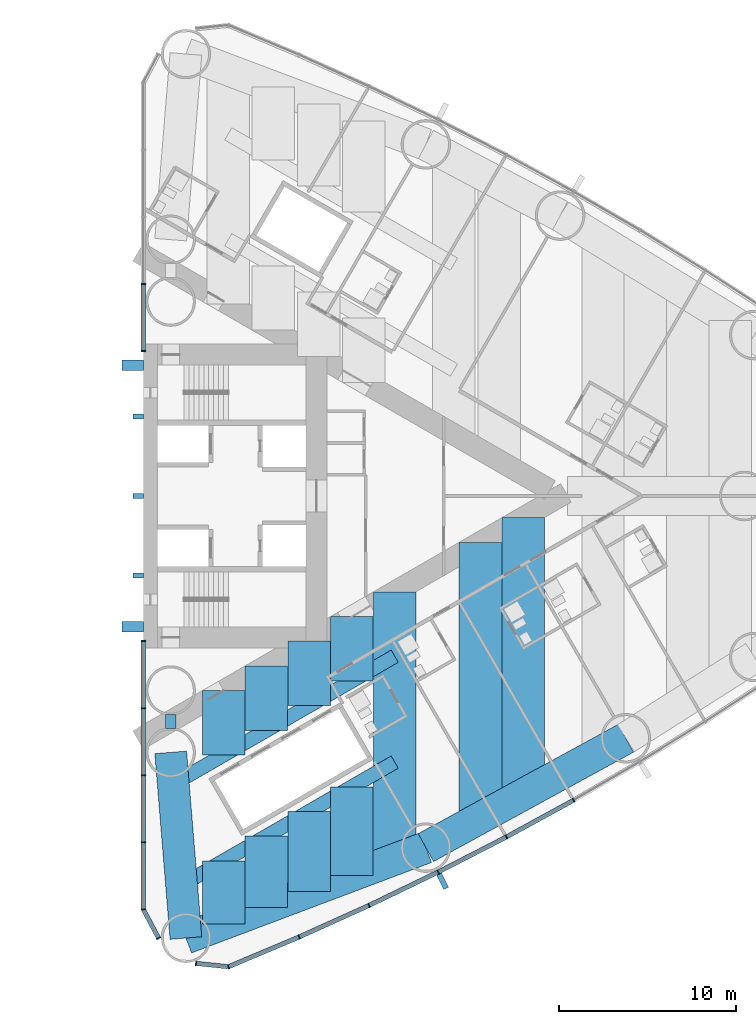
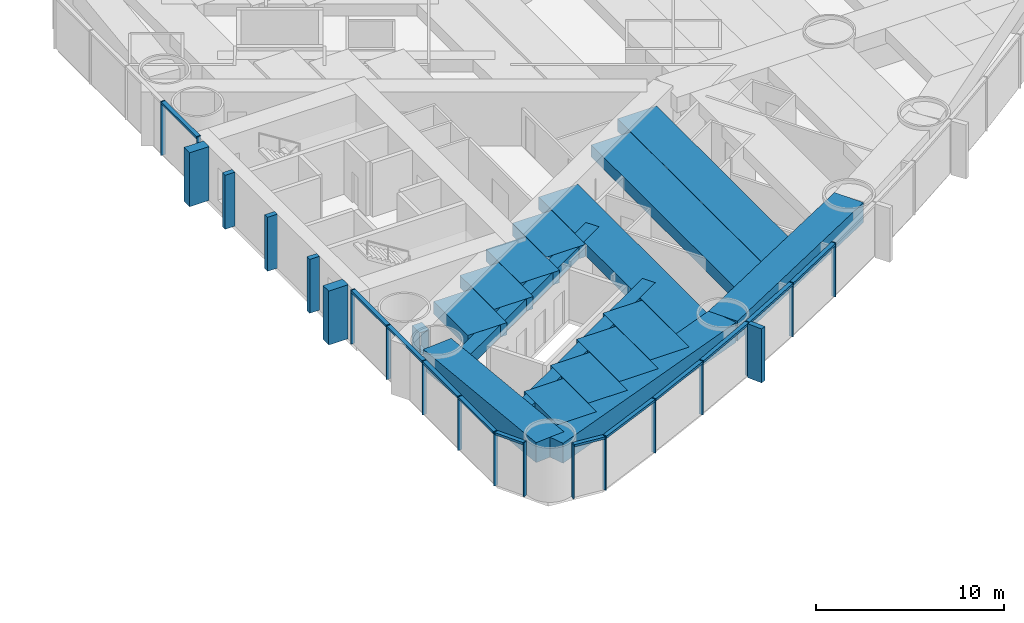
# One storey, part 6 of 18: 33 members, 17 beams, 3 elements without a shape of their own.
"""IFC4 building model written with IfcOpenShell, lengths in metres."""

from ifc_helpers import new_model, si_unit, direction, frame, origin, origin_2d, place, context, subcontext, project, spatial, rectangle, hollow_rectangle, extrude, material, material_profile, profile_set, type_object, element, aggregate, save


model = new_model("IFC4")

# Units and contexts
model_context = context("Model", 3, precision=1e-05, world=origin(), true_north=direction((0.0, 1.0)))
body_context = subcontext(model_context, "Body", "Model", "MODEL_VIEW")
ifc_project = project(units=[si_unit("LENGTHUNIT", "METRE"), si_unit("AREAUNIT", "SQUARE_METRE"), si_unit("VOLUMEUNIT", "CUBIC_METRE"), si_unit("PLANEANGLEUNIT", "RADIAN"), si_unit("MASSUNIT", "GRAM", prefix="KILO")], contexts=[model_context])

# Site, building, storey
site_placement = place(None, origin())
site = spatial("IfcSite", under=ifc_project, at=site_placement, CompositionType="ELEMENT")
building_placement = place(site_placement, origin())
building = spatial("IfcBuilding", under=site, at=building_placement, Name="Lancet Gate Hotel", CompositionType="ELEMENT")
storey_placement = place(building_placement, frame((0.0, 0.0, 49.5)))
storey = spatial("IfcBuildingStorey", under=building, at=storey_placement, Name="L12", CompositionType="ELEMENT", Elevation=49.5)

# Curtain wall, members
ifc_material_1 = material(Name="Aluminium curtain wall", Category="aluminium")
curtain_wall_type = type_object("IfcCurtainWallType", Name="Tower unitised curtain wall", PredefinedType="USERDEFINED", material=ifc_material_1)
curtain_wall_1_placement = place(storey_placement, origin())
curtain_wall_1 = element("IfcCurtainWall", 1, at=curtain_wall_1_placement, inside=storey, type_object=curtain_wall_type, Name="T2 L12 curtain wall 1", ObjectType="UNITISED CURTAIN WALL", PredefinedType="USERDEFINED")
ifc_material_2 = material(Name="Aluminium mullion", Category="aluminium")
ifc_material_profile_1 = material_profile(ifc_material_2, rectangle(XDim=0.06494140625, YDim=0.25, at=origin_2d()), Name="MULLION 65x250")
ifc_profile_set_1 = profile_set([ifc_material_profile_1], Name="Aluminium mullion")
member_type_1 = type_object("IfcMemberType", Name="Aluminium mullion 65x250", PredefinedType="MULLION", material=ifc_profile_set_1)
member_1_placement = place(storey_placement, frame((27.5, -8.199951171875, 0.0), z_axis=(0.0, 0.0, 1.0), x_axis=(0.0, -1.0, 0.0)))
member_1 = element("IfcMember", 2, at=member_1_placement, type_object=member_type_1, Name="T2 L12 curtain wall 1 mullion 1", PredefinedType="MULLION", context=body_context, shape_type="SweptSolid", body=[
    extrude(rectangle(XDim=0.06494140625, YDim=0.25, at=origin_2d()), origin(), (0.0, 0.0, 1.0), 3.5),
])
member_2_placement = place(storey_placement, frame((27.5, -11.99609375, 0.0), z_axis=(0.0, 0.0, 1.0), x_axis=(0.0, -1.0, 0.0)))
member_2 = element("IfcMember", 3, at=member_2_placement, type_object=member_type_1, Name="T2 L12 curtain wall 1 mullion 2", PredefinedType="MULLION", context=body_context, shape_type="SweptSolid", body=[
    extrude(rectangle(XDim=0.06494140625, YDim=0.25, at=origin_2d()), origin(), (0.0, 0.0, 1.0), 3.5),
])
member_3_placement = place(storey_placement, frame((27.5, -15.79248046875, 0.0), z_axis=(0.0, 0.0, 1.0), x_axis=(0.0, -1.0, 0.0)))
member_3 = element("IfcMember", 4, at=member_3_placement, type_object=member_type_1, Name="T2 L12 curtain wall 1 mullion 3", PredefinedType="MULLION", context=body_context, shape_type="SweptSolid", body=[
    extrude(rectangle(XDim=0.06494140625, YDim=0.25, at=origin_2d()), origin(), (0.0, 0.0, 1.0), 3.5),
])
member_4_placement = place(storey_placement, frame((27.5, -19.588623046875, 0.0), z_axis=(0.0, 0.0, 1.0), x_axis=(0.0, -1.0, 0.0)))
member_4 = element("IfcMember", 5, at=member_4_placement, type_object=member_type_1, Name="T2 L12 curtain wall 1 mullion 4", PredefinedType="MULLION", context=body_context, shape_type="SweptSolid", body=[
    extrude(rectangle(XDim=0.06494140625, YDim=0.25, at=origin_2d()), origin(), (0.0, 0.0, 1.0), 3.5),
])
member_5_placement = place(storey_placement, frame((27.5, -23.384765625, 0.0), z_axis=(0.0, 0.0, 1.0), x_axis=(0.157751691459, -0.987478811844, 0.0)))
member_5 = element("IfcMember", 6, at=member_5_placement, type_object=member_type_1, Name="T2 L12 curtain wall 1 mullion 5", PredefinedType="MULLION", context=body_context, shape_type="SweptSolid", body=[
    extrude(rectangle(XDim=0.06494140625, YDim=0.25, at=origin_2d()), origin(), (0.0, 0.0, 1.0), 3.5),
])
member_6_placement = place(storey_placement, frame((28.366455078125, -25.012451171875, 0.0), z_axis=(0.0, 0.0, 1.0), x_axis=(0.469897827284, -0.882720811987, 0.0)))
member_6 = element("IfcMember", 7, at=member_6_placement, type_object=member_type_1, Name="T2 L12 curtain wall 1 mullion 6", PredefinedType="MULLION", context=body_context, shape_type="SweptSolid", body=[
    extrude(rectangle(XDim=0.06494140625, YDim=0.25, at=origin_2d()), origin(), (0.0, 0.0, 1.0), 3.5),
])

curtain_wall_2_placement = place(storey_placement, origin())
curtain_wall_2 = element("IfcCurtainWall", 8, at=curtain_wall_2_placement, inside=storey, type_object=curtain_wall_type, Name="T2 L12 curtain wall 2", ObjectType="UNITISED CURTAIN WALL", PredefinedType="USERDEFINED")
member_7_placement = place(storey_placement, frame((30.48388671875, -26.4375, 0.0), z_axis=(0.0, 0.0, 1.0), x_axis=(0.994672262412, -0.10308778001, 0.0)))
member_7 = element("IfcMember", 9, at=member_7_placement, type_object=member_type_1, Name="T2 L12 curtain wall 2 mullion 1", PredefinedType="MULLION", context=body_context, shape_type="SweptSolid", body=[
    extrude(rectangle(XDim=0.06494140625, YDim=0.25, at=origin_2d()), origin(), (0.0, 0.0, 1.0), 3.5),
])
member_8_placement = place(storey_placement, frame((32.3173828125, -26.62744140625, 0.0), z_axis=(0.0, 0.0, 1.0), x_axis=(0.968721492963, 0.248150496819, 0.0)))
member_8 = element("IfcMember", 10, at=member_8_placement, type_object=member_type_1, Name="T2 L12 curtain wall 2 mullion 2", PredefinedType="MULLION", context=body_context, shape_type="SweptSolid", body=[
    extrude(rectangle(XDim=0.06494140625, YDim=0.25, at=origin_2d()), origin(), (0.0, 0.0, 1.0), 3.5),
])
member_9_placement = place(storey_placement, frame((36.31494140625, -24.943603515625, 0.0), z_axis=(0.0, 0.0, 1.0), x_axis=(0.916578705089, 0.399854320193, 0.0)))
member_9 = element("IfcMember", 11, at=member_9_placement, type_object=member_type_1, Name="T2 L12 curtain wall 2 mullion 3", PredefinedType="MULLION", context=body_context, shape_type="SweptSolid", body=[
    extrude(rectangle(XDim=0.06494140625, YDim=0.25, at=origin_2d()), origin(), (0.0, 0.0, 1.0), 3.5),
])
member_10_placement = place(storey_placement, frame((40.2685546875, -23.15869140625, 0.0), z_axis=(0.0, 0.0, 1.0), x_axis=(0.906104948671, 0.423052977762, 0.0)))
member_10 = element("IfcMember", 12, at=member_10_placement, type_object=member_type_1, Name="T2 L12 curtain wall 2 mullion 4", PredefinedType="MULLION", context=body_context, shape_type="SweptSolid", body=[
    extrude(rectangle(XDim=0.06494140625, YDim=0.25, at=origin_2d()), origin(), (0.0, 0.0, 1.0), 3.5),
])
member_11_placement = place(storey_placement, frame((44.17529296875, -21.273681640625, 0.0), z_axis=(0.0, 0.0, 1.0), x_axis=(0.895044147438, 0.445977548917, 0.0)))
member_11 = element("IfcMember", 13, at=member_11_placement, type_object=member_type_1, Name="T2 L12 curtain wall 2 mullion 5", PredefinedType="MULLION", context=body_context, shape_type="SweptSolid", body=[
    extrude(rectangle(XDim=0.06494140625, YDim=0.25, at=origin_2d()), origin(), (0.0, 0.0, 1.0), 3.5),
])
member_12_placement = place(storey_placement, frame((48.03271484375, -19.2900390625, 0.0), z_axis=(0.0, 0.0, 1.0), x_axis=(0.88340346743, 0.468613181347, 0.0)))
member_12 = element("IfcMember", 14, at=member_12_placement, type_object=member_type_1, Name="T2 L12 curtain wall 2 mullion 6", PredefinedType="MULLION", context=body_context, shape_type="SweptSolid", body=[
    extrude(rectangle(XDim=0.06494140625, YDim=0.25, at=origin_2d()), origin(), (0.0, 0.0, 1.0), 3.5),
])
member_13_placement = place(storey_placement, frame((51.838623046875, -17.208740234375, 0.0), z_axis=(0.0, 0.0, 1.0), x_axis=(0.871190450382, 0.490945209941, 0.0)))
member_13 = element("IfcMember", 15, at=member_13_placement, type_object=member_type_1, Name="T2 L12 curtain wall 2 mullion 7", PredefinedType="MULLION", context=body_context, shape_type="SweptSolid", body=[
    extrude(rectangle(XDim=0.06494140625, YDim=0.25, at=origin_2d()), origin(), (0.0, 0.0, 1.0), 3.5),
])

curtain_wall_3_placement = place(storey_placement, origin())
curtain_wall_3 = element("IfcCurtainWall", 16, at=curtain_wall_3_placement, inside=storey, type_object=curtain_wall_type, Name="T2 L12 curtain wall 4", ObjectType="UNITISED CURTAIN WALL", PredefinedType="USERDEFINED")
member_14_placement = place(storey_placement, frame((27.5, 11.99609375, 0.0), z_axis=(0.0, 0.0, 1.0), x_axis=(0.0, -1.0, 0.0)))
member_14 = element("IfcMember", 17, at=member_14_placement, type_object=member_type_1, Name="T2 L12 curtain wall 4 mullion 5", PredefinedType="MULLION", context=body_context, shape_type="SweptSolid", body=[
    extrude(rectangle(XDim=0.06494140625, YDim=0.25, at=origin_2d()), origin(), (0.0, 0.0, 1.0), 3.5),
])
member_15_placement = place(storey_placement, frame((27.5, 8.199951171875, 0.0), z_axis=(0.0, 0.0, 1.0), x_axis=(0.0, -1.0, 0.0)))
member_15 = element("IfcMember", 18, at=member_15_placement, type_object=member_type_1, Name="T2 L12 curtain wall 4 mullion 6", PredefinedType="MULLION", context=body_context, shape_type="SweptSolid", body=[
    extrude(rectangle(XDim=0.06494140625, YDim=0.25, at=origin_2d()), origin(), (0.0, 0.0, 1.0), 3.5),
])

# Member
ifc_material_3 = material(Name="Aluminium transom", Category="aluminium")
ifc_material_profile_2 = material_profile(ifc_material_3, rectangle(XDim=0.25, YDim=0.14990234375, at=origin_2d()), Name="TRANSOM 250x150")
ifc_profile_set_2 = profile_set([ifc_material_profile_2], Name="Aluminium transom")
member_type_2 = type_object("IfcMemberType", Name="Aluminium transom 250x150", PredefinedType="USERDEFINED", material=ifc_profile_set_2)
member_16_placement = place(storey_placement, frame((27.5, -8.232421875, 3.425048828125), z_axis=(0.0, -1.0, 0.0), x_axis=(1.0, 0.0, 0.0)))
member_16 = element("IfcMember", 19, at=member_16_placement, type_object=member_type_2, Name="T2 L12 curtain wall 1 transom 1", ObjectType="TRANSOM", PredefinedType="USERDEFINED", context=body_context, shape_type="SweptSolid", body=[
    extrude(rectangle(XDim=0.25, YDim=0.14990234375, at=origin_2d()), origin(), (0.0, 0.0, 1.0), 3.731201171875),
])

member_17_placement = place(storey_placement, frame((27.5, -12.02880859375, 3.425048828125), z_axis=(0.0, -1.0, 0.0), x_axis=(1.0, 0.0, 0.0)))
member_17 = element("IfcMember", 20, at=member_17_placement, type_object=member_type_2, Name="T2 L12 curtain wall 1 transom 2", ObjectType="TRANSOM", PredefinedType="USERDEFINED", context=body_context, shape_type="SweptSolid", body=[
    extrude(rectangle(XDim=0.25, YDim=0.14990234375, at=origin_2d()), origin(), (0.0, 0.0, 1.0), 3.731201171875),
])

member_18_placement = place(storey_placement, frame((27.5, -15.824951171875, 3.425048828125), z_axis=(0.0, -1.0, 0.0), x_axis=(1.0, 0.0, 0.0)))
member_18 = element("IfcMember", 21, at=member_18_placement, type_object=member_type_2, Name="T2 L12 curtain wall 1 transom 3", ObjectType="TRANSOM", PredefinedType="USERDEFINED", context=body_context, shape_type="SweptSolid", body=[
    extrude(rectangle(XDim=0.25, YDim=0.14990234375, at=origin_2d()), origin(), (0.0, 0.0, 1.0), 3.731201171875),
])

member_19_placement = place(storey_placement, frame((27.5, -19.62109375, 3.425048828125), z_axis=(0.0, -1.0, 0.0), x_axis=(1.0, 0.0, 0.0)))
member_19 = element("IfcMember", 22, at=member_19_placement, type_object=member_type_2, Name="T2 L12 curtain wall 1 transom 4", ObjectType="TRANSOM", PredefinedType="USERDEFINED", context=body_context, shape_type="SweptSolid", body=[
    extrude(rectangle(XDim=0.25, YDim=0.14990234375, at=origin_2d()), origin(), (0.0, 0.0, 1.0), 3.731201171875),
])

member_20_placement = place(storey_placement, frame((27.515380859375, -23.41357421875, 3.425048828125), z_axis=(0.469904276347, -0.882717378933, 0.0), x_axis=(0.882717378933, 0.469904276347, 0.0)))
member_20 = element("IfcMember", 23, at=member_20_placement, type_object=member_type_2, Name="T2 L12 curtain wall 1 transom 5", ObjectType="TRANSOM", PredefinedType="USERDEFINED", context=body_context, shape_type="SweptSolid", body=[
    extrude(rectangle(XDim=0.25, YDim=0.14990234375, at=origin_2d()), origin(), (0.0, 0.0, 1.0), 1.779052734375),
])

aggregate(curtain_wall_1, [member_1, member_2, member_3, member_4, member_5, member_6, member_16, member_17, member_18, member_19, member_20])

member_21_placement = place(storey_placement, frame((30.516357421875, -26.440673828125, 3.425048828125), z_axis=(0.994670452051, -0.103105246306, 0.0), x_axis=(0.103105246306, 0.994670452051, 0.0)))
member_21 = element("IfcMember", 24, at=member_21_placement, type_object=member_type_2, Name="T2 L12 curtain wall 2 transom 1", ObjectType="TRANSOM", PredefinedType="USERDEFINED", context=body_context, shape_type="SweptSolid", body=[
    extrude(rectangle(XDim=0.25, YDim=0.14990234375, at=origin_2d()), origin(), (0.0, 0.0, 1.0), 1.7783203125),
])

member_22_placement = place(storey_placement, frame((32.347412109375, -26.61474609375, 3.425048828125), z_axis=(0.92159772617, 0.388146404233, 0.0), x_axis=(-0.388146404233, 0.92159772617, 0.0)))
member_22 = element("IfcMember", 25, at=member_22_placement, type_object=member_type_2, Name="T2 L12 curtain wall 2 transom 2", ObjectType="TRANSOM", PredefinedType="USERDEFINED", context=body_context, shape_type="SweptSolid", body=[
    extrude(rectangle(XDim=0.25, YDim=0.14990234375, at=origin_2d()), origin(), (0.0, 0.0, 1.0), 4.272705078125),
])

member_23_placement = place(storey_placement, frame((36.3447265625, -24.930419921875, 3.425048828125), z_axis=(0.911396871737, 0.411528543589, 0.0), x_axis=(-0.411528543589, 0.911396871737, 0.0)))
member_23 = element("IfcMember", 26, at=member_23_placement, type_object=member_type_2, Name="T2 L12 curtain wall 2 transom 3", ObjectType="TRANSOM", PredefinedType="USERDEFINED", context=body_context, shape_type="SweptSolid", body=[
    extrude(rectangle(XDim=0.25, YDim=0.14990234375, at=origin_2d()), origin(), (0.0, 0.0, 1.0), 4.272705078125),
])

member_24_placement = place(storey_placement, frame((40.2978515625, -23.14453125, 3.425048828125), z_axis=(0.900646499888, 0.434552508035, 0.0), x_axis=(-0.434552508035, 0.900646499888, 0.0)))
member_24 = element("IfcMember", 27, at=member_24_placement, type_object=member_type_2, Name="T2 L12 curtain wall 2 transom 4", ObjectType="TRANSOM", PredefinedType="USERDEFINED", context=body_context, shape_type="SweptSolid", body=[
    extrude(rectangle(XDim=0.25, YDim=0.14990234375, at=origin_2d()), origin(), (0.0, 0.0, 1.0), 4.272705078125),
])

member_25_placement = place(storey_placement, frame((44.2041015625, -21.259033203125, 3.425048828125), z_axis=(0.88929576978, 0.457332520002, 0.0), x_axis=(-0.457332520002, 0.88929576978, 0.0)))
member_25 = element("IfcMember", 28, at=member_25_placement, type_object=member_type_2, Name="T2 L12 curtain wall 2 transom 5", ObjectType="TRANSOM", PredefinedType="USERDEFINED", context=body_context, shape_type="SweptSolid", body=[
    extrude(rectangle(XDim=0.25, YDim=0.14990234375, at=origin_2d()), origin(), (0.0, 0.0, 1.0), 4.272705078125),
])

member_26_placement = place(storey_placement, frame((48.061279296875, -19.2744140625, 3.425048828125), z_axis=(0.877377528879, 0.479800658417, 0.0), x_axis=(-0.479800658417, 0.877377528879, 0.0)))
member_26 = element("IfcMember", 29, at=member_26_placement, type_object=member_type_2, Name="T2 L12 curtain wall 2 transom 6", ObjectType="TRANSOM", PredefinedType="USERDEFINED", context=body_context, shape_type="SweptSolid", body=[
    extrude(rectangle(XDim=0.25, YDim=0.14990234375, at=origin_2d()), origin(), (0.0, 0.0, 1.0), 4.272705078125),
])

member_27_placement = place(storey_placement, frame((27.5, 11.963623046875, 3.425048828125), z_axis=(0.0, -1.0, 0.0), x_axis=(1.0, 0.0, 0.0)))
member_27 = element("IfcMember", 30, at=member_27_placement, type_object=member_type_2, Name="T2 L12 curtain wall 4 transom 5", ObjectType="TRANSOM", PredefinedType="USERDEFINED", context=body_context, shape_type="SweptSolid", body=[
    extrude(rectangle(XDim=0.25, YDim=0.14990234375, at=origin_2d()), origin(), (0.0, 0.0, 1.0), 3.731201171875),
])

aggregate(curtain_wall_3, [member_14, member_15, member_27])

# Beams
ifc_material_4 = material(Name="Concrete C50/60", Category="concrete")
ifc_material_profile_3 = material_profile(ifc_material_4, rectangle(XDim=1.800048828125, YDim=1.300048828125, at=origin_2d()), Name="RC 1800x1300")
ifc_profile_set_3 = profile_set([ifc_material_profile_3], Name="Concrete C50/60")
beam_type_1 = type_object("IfcBeamType", Name="Edge beam RC 1800x1300", PredefinedType="SPANDREL", material=ifc_profile_set_3)
beam_1_placement = place(storey_placement, frame((29.9111328125, -25.00244140625, 2.60009765625), z_axis=(0.935736448066, 0.352700013836, 0.0), x_axis=(-0.352700013836, 0.935736448066, 0.0)))
element("IfcBeam", 31, at=beam_1_placement, inside=storey, type_object=beam_type_1, Name="T2 edge beam EB1 L12", PredefinedType="SPANDREL", context=body_context, shape_type="SweptSolid", body=[
    extrude(rectangle(XDim=1.800048828125, YDim=1.300048828125, at=origin_2d()), origin(), (0.0, 0.0, 1.0), 14.505126953125),
])
beam_2_placement = place(storey_placement, frame((43.484130859375, -19.886474609375, 2.60009765625), z_axis=(0.87736889738, 0.479816441893, 0.0), x_axis=(-0.479816441893, 0.87736889738, 0.0)))
element("IfcBeam", 32, at=beam_2_placement, inside=storey, type_object=beam_type_1, Name="T2 edge beam EB1 L12", PredefinedType="SPANDREL", context=body_context, shape_type="SweptSolid", body=[
    extrude(rectangle(XDim=1.800048828125, YDim=1.300048828125, at=origin_2d()), origin(), (0.0, 0.0, 1.0), 12.89208984375),
])
beam_3_placement = place(storey_placement, frame((29.9111328125, -25.00244140625, 2.60009765625), z_axis=(-0.081714744052, 0.996655758326, 0.0), x_axis=(-0.996655758326, -0.081714744052, 0.0)))
element("IfcBeam", 33, at=beam_3_placement, inside=storey, type_object=beam_type_1, Name="T2 edge beam EB1 L12", PredefinedType="SPANDREL", context=body_context, shape_type="SweptSolid", body=[
    extrude(rectangle(XDim=1.800048828125, YDim=1.300048828125, at=origin_2d()), origin(), (0.0, 0.0, 1.0), 10.53759765625),
])

# Members
ifc_material_5 = material(Name="Concrete C60/75", Category="concrete")
ifc_material_profile_4 = material_profile(ifc_material_5, rectangle(XDim=0.60009765625, YDim=1.199951171875, at=origin_2d()), Name="FIN 600x1200")
ifc_profile_set_4 = profile_set([ifc_material_profile_4], Name="Concrete C60/75")
member_type_3 = type_object("IfcMemberType", Name="Exposed concrete buttress pilaster 600x1200", PredefinedType="USERDEFINED", material=ifc_profile_set_4)
for number, where, z_axis, x_axis, name in (
    (34, (26.909912109375, -7.39990234375, 0.0), (0.0, 0.0, 1.0), (0.0, 1.0, 0.0), "T2 buttress pilaster S L12"),
    (35, (26.909912109375, 7.39990234375, 0.0), (0.0, 0.0, 1.0), (0.0, 1.0, 0.0), "T2 buttress pilaster N L12"),
):
    element("IfcMember", number, at=place(storey_placement, frame(where, z_axis=z_axis, x_axis=x_axis)), inside=storey, type_object=member_type_3, Name=name, ObjectType="FIN", PredefinedType="USERDEFINED", context=body_context, shape_type="SweptSolid", body=[
        extrude(rectangle(XDim=0.60009765625, YDim=1.199951171875, at=origin_2d()), origin(), (0.0, 0.0, 1.0), 3.5),
    ])

# Member
ifc_material_6 = material(Name="Precast concrete C50/60", Category="concrete")
ifc_material_profile_5 = material_profile(ifc_material_6, rectangle(XDim=0.300048828125, YDim=0.89990234375, at=origin_2d()), Name="FIN 300x900")
ifc_profile_set_5 = profile_set([ifc_material_profile_5], Name="Precast concrete C50/60")
member_type_4 = type_object("IfcMemberType", Name="Exposed concrete fin 300x900", PredefinedType="USERDEFINED", material=ifc_profile_set_5)
member_28_placement = place(storey_placement, frame((44.431640625, -21.788330078125, 0.0), z_axis=(0.0, 0.0, 1.0), x_axis=(0.895044147438, 0.445977548917, 0.0)))
member_28 = element("IfcMember", 36, at=member_28_placement, type_object=member_type_4, Name="T2 L12 curtain wall 2 fin 5", ObjectType="FIN", PredefinedType="USERDEFINED", context=body_context, shape_type="SweptSolid", body=[
    extrude(rectangle(XDim=0.300048828125, YDim=0.89990234375, at=origin_2d()), origin(), (0.0, 0.0, 1.0), 3.5),
])

aggregate(curtain_wall_2, [member_7, member_8, member_9, member_10, member_11, member_28, member_12, member_13, member_21, member_22, member_23, member_24, member_25, member_26])

# Members
ifc_material_7 = material(Name="Concrete C60/75", Category="concrete")
ifc_material_profile_6 = material_profile(ifc_material_7, rectangle(XDim=0.300048828125, YDim=0.60009765625, at=origin_2d()), Name="FIN 300x600")
ifc_profile_set_6 = profile_set([ifc_material_profile_6], Name="Concrete C60/75")
member_type_5 = type_object("IfcMemberType", Name="Exposed concrete rib 300x600", PredefinedType="USERDEFINED", material=ifc_profile_set_6)
for number, where, z_axis, x_axis, name in (
    (37, (27.2099609375, -4.5, 0.0), (0.0, 0.0, 1.0), (0.0, 1.0, 0.0), "T2 core rib 1 L12"),
    (38, (27.2099609375, 0.0, 0.0), (0.0, 0.0, 1.0), (0.0, 1.0, 0.0), "T2 core rib 2 L12"),
    (39, (27.2099609375, 4.5, 0.0), (0.0, 0.0, 1.0), (0.0, 1.0, 0.0), "T2 core rib 3 L12"),
):
    element("IfcMember", number, at=place(storey_placement, frame(where, z_axis=z_axis, x_axis=x_axis)), inside=storey, type_object=member_type_5, Name=name, ObjectType="FIN", PredefinedType="USERDEFINED", context=body_context, shape_type="SweptSolid", body=[
        extrude(rectangle(XDim=0.300048828125, YDim=0.60009765625, at=origin_2d()), origin(), (0.0, 0.0, 1.0), 3.5),
    ])

# Beams
ifc_material_8 = material(Name="Concrete C50/60", Category="concrete")
ifc_material_profile_7 = material_profile(ifc_material_8, rectangle(XDim=2.39990234375, YDim=0.800048828125, at=origin_2d()), Name="RC 2400x800")
ifc_profile_set_7 = profile_set([ifc_material_profile_7], Name="Concrete C50/60")
beam_type_2 = type_object("IfcBeamType", Name="Floor beam RC 2400x800", PredefinedType="BEAM", material=ifc_profile_set_7)
beam_4_placement = place(storey_placement, frame((41.721435546875, -20.55078125, 2.85009765625), z_axis=(0.0, 1.0, 0.0), x_axis=(-1.0, 0.0, 0.0)))
element("IfcBeam", 40, at=beam_4_placement, inside=storey, type_object=beam_type_2, Name="T2 floor beam F11S L12", PredefinedType="BEAM", context=body_context, shape_type="SweptSolid", body=[
    extrude(rectangle(XDim=2.39990234375, YDim=0.800048828125, at=origin_2d()), origin(), (0.0, 0.0, 1.0), 15.134765625),
])
beam_5_placement = place(storey_placement, frame((46.561767578125, -18.203369140625, 2.85009765625), z_axis=(0.0, 1.0, 0.0), x_axis=(-1.0, 0.0, 0.0)))
element("IfcBeam", 41, at=beam_5_placement, inside=storey, type_object=beam_type_2, Name="T2 floor beam F13S L12", PredefinedType="BEAM", context=body_context, shape_type="SweptSolid", body=[
    extrude(rectangle(XDim=2.39990234375, YDim=0.800048828125, at=origin_2d()), origin(), (0.0, 0.0, 1.0), 15.58203125),
])
beam_6_placement = place(storey_placement, frame((48.98193359375, -16.879638671875, 2.85009765625), z_axis=(0.0, 1.0, 0.0), x_axis=(-1.0, 0.0, 0.0)))
element("IfcBeam", 42, at=beam_6_placement, inside=storey, type_object=beam_type_2, Name="T2 floor beam F15S L12", PredefinedType="BEAM", context=body_context, shape_type="SweptSolid", body=[
    extrude(rectangle(XDim=2.39990234375, YDim=0.800048828125, at=origin_2d()), origin(), (0.0, 0.0, 1.0), 15.655517578125),
])
beam_7_placement = place(storey_placement, frame((32.04052734375, -24.199951171875, 2.85009765625), z_axis=(0.0, 1.0, 0.0), x_axis=(-1.0, 0.0, 0.0)))
element("IfcBeam", 43, at=beam_7_placement, inside=storey, type_object=beam_type_2, Name="T2 floor beam F03SA L12", PredefinedType="BEAM", context=body_context, shape_type="SweptSolid", body=[
    extrude(rectangle(XDim=2.39990234375, YDim=0.800048828125, at=origin_2d()), origin(), (0.0, 0.0, 1.0), 3.5615234375),
])
beam_8_placement = place(storey_placement, frame((32.04052734375, -14.65087890625, 2.85009765625), z_axis=(0.0, 1.0, 0.0), x_axis=(-1.0, 0.0, 0.0)))
element("IfcBeam", 44, at=beam_8_placement, inside=storey, type_object=beam_type_2, Name="T2 floor beam F03SB L12", PredefinedType="BEAM", context=body_context, shape_type="SweptSolid", body=[
    extrude(rectangle(XDim=2.39990234375, YDim=0.800048828125, at=origin_2d()), origin(), (0.0, 0.0, 1.0), 3.6455078125),
])
beam_9_placement = place(storey_placement, frame((34.460693359375, -23.28759765625, 2.85009765625), z_axis=(0.0, 1.0, 0.0), x_axis=(-1.0, 0.0, 0.0)))
element("IfcBeam", 45, at=beam_9_placement, inside=storey, type_object=beam_type_2, Name="T2 floor beam F05SA L12", PredefinedType="BEAM", context=body_context, shape_type="SweptSolid", body=[
    extrude(rectangle(XDim=2.39990234375, YDim=0.800048828125, at=origin_2d()), origin(), (0.0, 0.0, 1.0), 4.04638671875),
])
beam_10_placement = place(storey_placement, frame((34.460693359375, -13.253662109375, 2.85009765625), z_axis=(0.0, 1.0, 0.0), x_axis=(-1.0, 0.0, 0.0)))
element("IfcBeam", 46, at=beam_10_placement, inside=storey, type_object=beam_type_2, Name="T2 floor beam F05SB L12", PredefinedType="BEAM", context=body_context, shape_type="SweptSolid", body=[
    extrude(rectangle(XDim=2.39990234375, YDim=0.800048828125, at=origin_2d()), origin(), (0.0, 0.0, 1.0), 3.645751953125),
])
beam_11_placement = place(storey_placement, frame((36.880859375, -22.37548828125, 2.85009765625), z_axis=(0.0, 1.0, 0.0), x_axis=(-1.0, 0.0, 0.0)))
element("IfcBeam", 47, at=beam_11_placement, inside=storey, type_object=beam_type_2, Name="T2 floor beam F07SA L12", PredefinedType="BEAM", context=body_context, shape_type="SweptSolid", body=[
    extrude(rectangle(XDim=2.39990234375, YDim=0.800048828125, at=origin_2d()), origin(), (0.0, 0.0, 1.0), 4.53173828125),
])
beam_12_placement = place(storey_placement, frame((36.880859375, -11.8564453125, 2.85009765625), z_axis=(0.0, 1.0, 0.0), x_axis=(-1.0, 0.0, 0.0)))
element("IfcBeam", 48, at=beam_12_placement, inside=storey, type_object=beam_type_2, Name="T2 floor beam F07SB L12", PredefinedType="BEAM", context=body_context, shape_type="SweptSolid", body=[
    extrude(rectangle(XDim=2.39990234375, YDim=0.800048828125, at=origin_2d()), origin(), (0.0, 0.0, 1.0), 3.645751953125),
])
beam_13_placement = place(storey_placement, frame((39.301025390625, -21.463134765625, 2.85009765625), z_axis=(0.0, 1.0, 0.0), x_axis=(-1.0, 0.0, 0.0)))
element("IfcBeam", 49, at=beam_13_placement, inside=storey, type_object=beam_type_2, Name="T2 floor beam F09SA L12", PredefinedType="BEAM", context=body_context, shape_type="SweptSolid", body=[
    extrude(rectangle(XDim=2.39990234375, YDim=0.800048828125, at=origin_2d()), origin(), (0.0, 0.0, 1.0), 5.0166015625),
])
beam_14_placement = place(storey_placement, frame((39.301025390625, -10.458984375, 2.85009765625), z_axis=(0.0, 1.0, 0.0), x_axis=(-1.0, 0.0, 0.0)))
element("IfcBeam", 50, at=beam_14_placement, inside=storey, type_object=beam_type_2, Name="T2 floor beam F09SB L12", PredefinedType="BEAM", context=body_context, shape_type="SweptSolid", body=[
    extrude(rectangle(XDim=2.39990234375, YDim=0.800048828125, at=origin_2d()), origin(), (0.0, 0.0, 1.0), 3.6455078125),
])
ifc_material_9 = material(Name="Steel S460QL", Category="steel")
ifc_material_profile_8 = material_profile(ifc_material_9, hollow_rectangle(XDim=0.60009765625, YDim=1.5, WallThickness=0.050048828125, at=origin_2d()), Name="BOX 1500x600x50")
ifc_profile_set_8 = profile_set([ifc_material_profile_8], Name="Steel S460QL")
beam_type_3 = type_object("IfcBeamType", Name="Inner-face link beam BOX 1500x600x50", PredefinedType="BEAM", material=ifc_profile_set_8)
beam_15_placement = place(storey_placement, frame((29.050048828125, -13.14990234375, 2.5), z_axis=(0.0, 1.0, 0.0), x_axis=(-1.0, 0.0, 0.0)))
element("IfcBeam", 51, at=beam_15_placement, inside=storey, type_object=beam_type_3, Name="T2 inner-face link beam LK1 L12", PredefinedType="BEAM", context=body_context, shape_type="SweptSolid", body=[
    extrude(hollow_rectangle(XDim=0.60009765625, YDim=1.5, WallThickness=0.050048828125, at=origin_2d()), origin(), (0.0, 0.0, 1.0), 0.7998046875),
])
ifc_material_10 = material(Name="Steel S460QL", Category="steel")
ifc_material_profile_9 = material_profile(ifc_material_10, hollow_rectangle(XDim=0.800048828125, YDim=0.800048828125, WallThickness=0.080078125, at=origin_2d()), Name="BOX 800x800x80")
ifc_profile_set_9 = profile_set([ifc_material_profile_9], Name="Steel S460QL")
beam_type_4 = type_object("IfcBeamType", Name="Trimmer beam BOX 800x800x80", PredefinedType="BEAM", material=ifc_profile_set_9)
beam_16_placement = place(storey_placement, frame((29.6201171875, -16.048095703125, 2.85009765625), z_axis=(0.866036909293, 0.499980071345, 0.0), x_axis=(-0.499980071345, 0.866036909293, 0.0)))
element("IfcBeam", 52, at=beam_16_placement, inside=storey, type_object=beam_type_4, Name="T2 trimmer beam TR01S L12", PredefinedType="BEAM", context=body_context, shape_type="SweptSolid", body=[
    extrude(hollow_rectangle(XDim=0.800048828125, YDim=0.800048828125, WallThickness=0.080078125, at=origin_2d()), origin(), (0.0, 0.0, 1.0), 13.97314453125),
])
beam_17_placement = place(storey_placement, frame((29.665771484375, -22.00927734375, 2.85009765625), z_axis=(0.866037222451, 0.499979528911, 0.0), x_axis=(-0.499979528911, 0.866037222451, 0.0)))
element("IfcBeam", 53, at=beam_17_placement, inside=storey, type_object=beam_type_4, Name="T2 trimmer beam TR02S L12", PredefinedType="BEAM", context=body_context, shape_type="SweptSolid", body=[
    extrude(hollow_rectangle(XDim=0.800048828125, YDim=0.800048828125, WallThickness=0.080078125, at=origin_2d()), origin(), (0.0, 0.0, 1.0), 13.92041015625),
])

save(model, "model.ifc")
